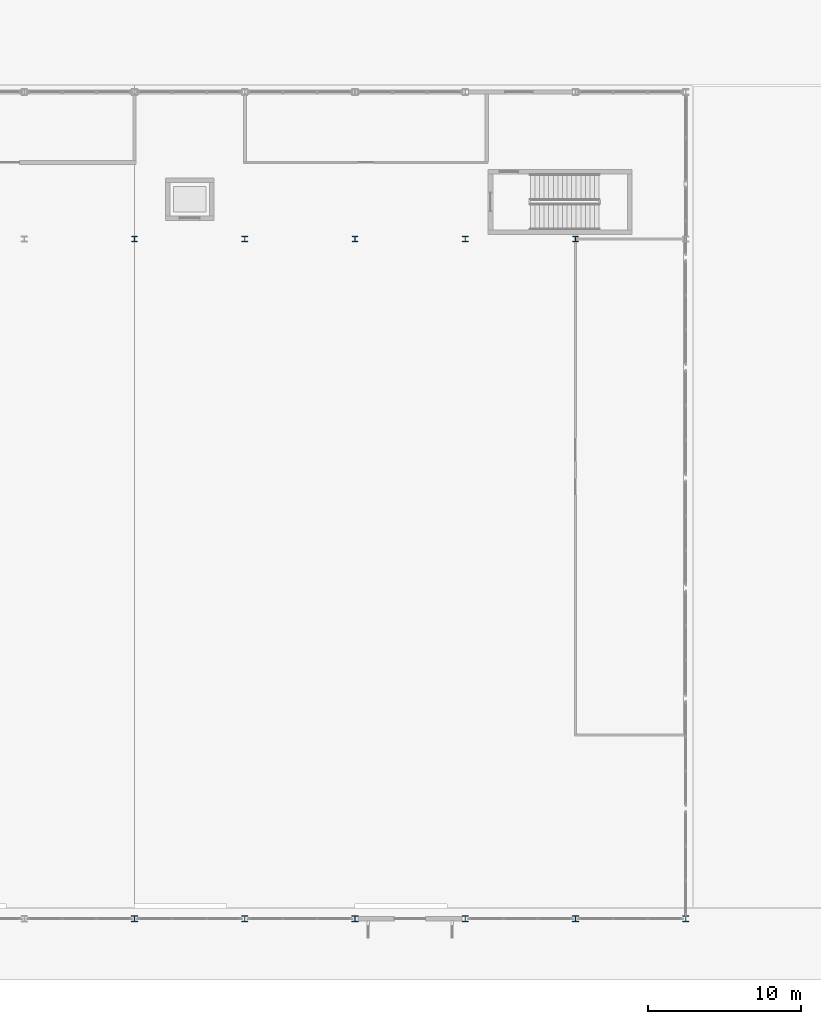
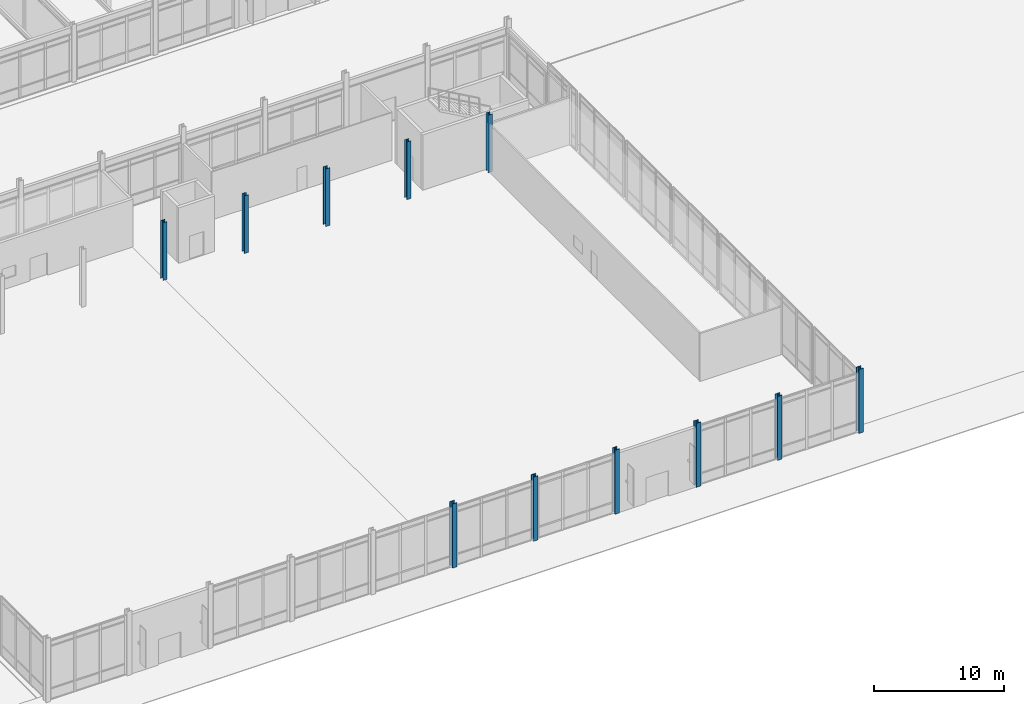
# One storey, part 3 of 104: 11 columns.
"""IFC4 building model written with IfcOpenShell, lengths in metres."""

from ifc_helpers import new_model, si_unit, direction, frame, origin, origin_2d, place, context, subcontext, project, spatial, i_section, extrude, material, material_profile, profile_set, type_object, element, save


model = new_model("IFC4")

# Units and contexts
model_context = context("Model", 3, precision=1e-05, world=origin(), true_north=direction((0.0, 1.0)))
body_context = subcontext(model_context, "Body", "Model", "MODEL_VIEW")
ifc_project = project(units=[si_unit("LENGTHUNIT", "METRE"), si_unit("AREAUNIT", "SQUARE_METRE"), si_unit("VOLUMEUNIT", "CUBIC_METRE"), si_unit("PLANEANGLEUNIT", "RADIAN"), si_unit("MASSUNIT", "GRAM", prefix="KILO")], contexts=[model_context])

# Site, building, storey
site_placement = place(None, origin())
site = spatial("IfcSite", under=ifc_project, at=site_placement, CompositionType="ELEMENT")
building_placement = place(site_placement, origin())
building = spatial("IfcBuilding", under=site, at=building_placement, Name="Vaelcorin Mobility Hub", CompositionType="ELEMENT")
storey_placement = place(building_placement, origin())
storey = spatial("IfcBuildingStorey", under=building, at=storey_placement, Name="L00", CompositionType="ELEMENT", Elevation=0.0)

# Columns
ifc_material = material(Name="Steel ASTM A992 Grade 50", Category="steel")
ifc_material_profile_1 = material_profile(ifc_material, i_section(OverallWidth=0.373046875, OverallDepth=0.373046875, WebThickness=0.016357421875, FlangeThickness=0.026123046875, FilletRadius=0.014892578125, at=origin_2d()), Name="W14X132")
ifc_profile_set_1 = profile_set([ifc_material_profile_1], Name="Steel ASTM A992 Grade 50")
column_type_1 = type_object("IfcColumnType", Name="COL-W14X132", PredefinedType="COLUMN", material=ifc_profile_set_1)
for number, where, z_axis, x_axis, name in (
    (1, (72.0, 50.39990234375, 0.0), (0.0, 0.0, 1.0), (1.0, 0.0, 0.0), "Column V1-X06-gal L00"),
    (2, (79.199951171875, 50.39990234375, 0.0), (0.0, 0.0, 1.0), (1.0, 0.0, 0.0), "Column V1-X07-gal L00"),
    (3, (86.39990234375, 50.39990234375, 0.0), (0.0, 0.0, 1.0), (1.0, 0.0, 0.0), "Column V1-X08-gal L00"),
    (4, (93.60009765625, 50.39990234375, 0.0), (0.0, 0.0, 1.0), (1.0, 0.0, 0.0), "Column V1-X09-gal L00"),
    (5, (100.800048828125, 50.39990234375, 0.0), (0.0, 0.0, 1.0), (1.0, 0.0, 0.0), "Column V1-X10-gal L00"),
):
    element("IfcColumn", number, at=place(storey_placement, frame(where, z_axis=z_axis, x_axis=x_axis)), inside=storey, type_object=column_type_1, Name=name, PredefinedType="COLUMN", context=body_context, shape_type="SweptSolid", body=[
        extrude(i_section(OverallWidth=0.373046875, OverallDepth=0.373046875, WebThickness=0.016357421875, FlangeThickness=0.026123046875, FilletRadius=0.014892578125, at=origin_2d()), origin(), (0.0, 0.0, 1.0), 5.39990234375),
    ])
ifc_material_profile_2 = material_profile(ifc_material, i_section(OverallWidth=0.404052734375, OverallDepth=0.406005859375, WebThickness=0.027099609375, FlangeThickness=0.043701171875, FilletRadius=0.014892578125, at=origin_2d()), Name="W14X233")
ifc_profile_set_2 = profile_set([ifc_material_profile_2], Name="Steel ASTM A992 Grade 50")
column_type_2 = type_object("IfcColumnType", Name="COL-W14X233", PredefinedType="COLUMN", material=ifc_profile_set_2)
for number, where, z_axis, x_axis, name in (
    (6, (72.0, 6.0, 0.0), (0.0, 0.0, 1.0), (1.0, 0.0, 0.0), "Column V1-X06-arch_s L00"),
    (7, (79.199951171875, 6.0, 0.0), (0.0, 0.0, 1.0), (1.0, 0.0, 0.0), "Column V1-X07-arch_s L00"),
    (8, (86.39990234375, 6.0, 0.0), (0.0, 0.0, 1.0), (1.0, 0.0, 0.0), "Column V1-X08-arch_s L00"),
    (9, (93.60009765625, 6.0, 0.0), (0.0, 0.0, 1.0), (1.0, 0.0, 0.0), "Column V1-X09-arch_s L00"),
    (10, (100.800048828125, 6.0, 0.0), (0.0, 0.0, 1.0), (1.0, 0.0, 0.0), "Column V1-X10-arch_s L00"),
    (11, (108.0, 6.0, 0.0), (0.0, 0.0, 1.0), (1.0, 0.0, 0.0), "Column V1-X11-arch_s L00"),
):
    element("IfcColumn", number, at=place(storey_placement, frame(where, z_axis=z_axis, x_axis=x_axis)), inside=storey, type_object=column_type_2, Name=name, PredefinedType="COLUMN", context=body_context, shape_type="SweptSolid", body=[
        extrude(i_section(OverallWidth=0.404052734375, OverallDepth=0.406005859375, WebThickness=0.027099609375, FlangeThickness=0.043701171875, FilletRadius=0.014892578125, at=origin_2d()), origin(), (0.0, 0.0, 1.0), 6.0),
    ])

save(model, "model.ifc")
